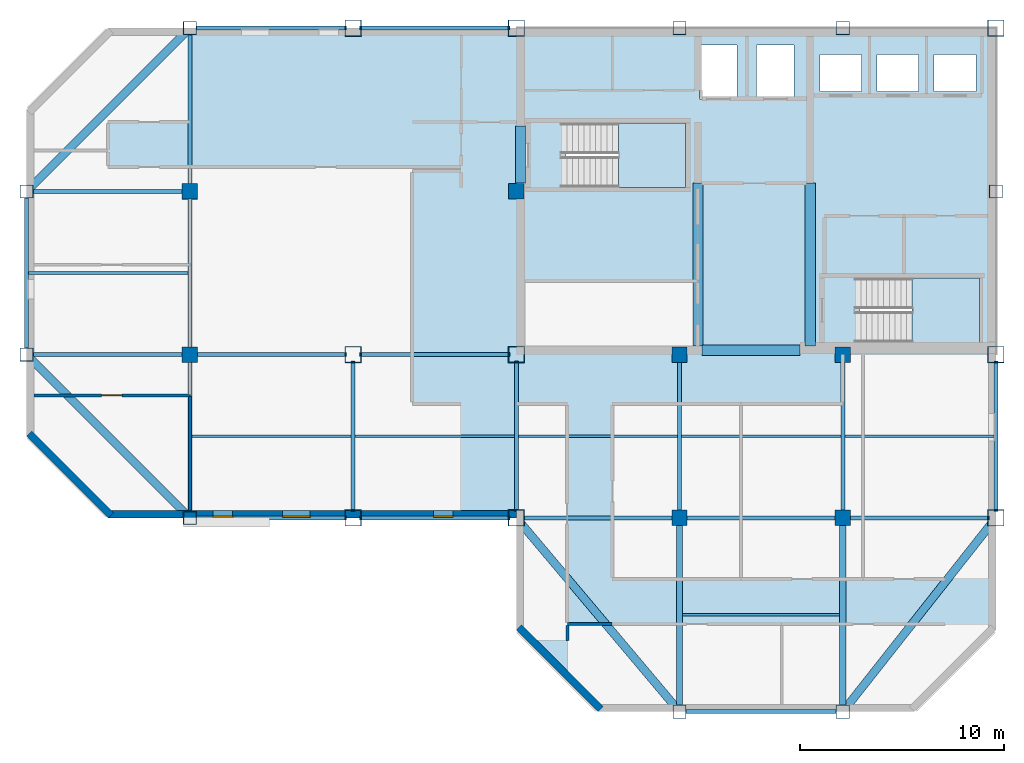
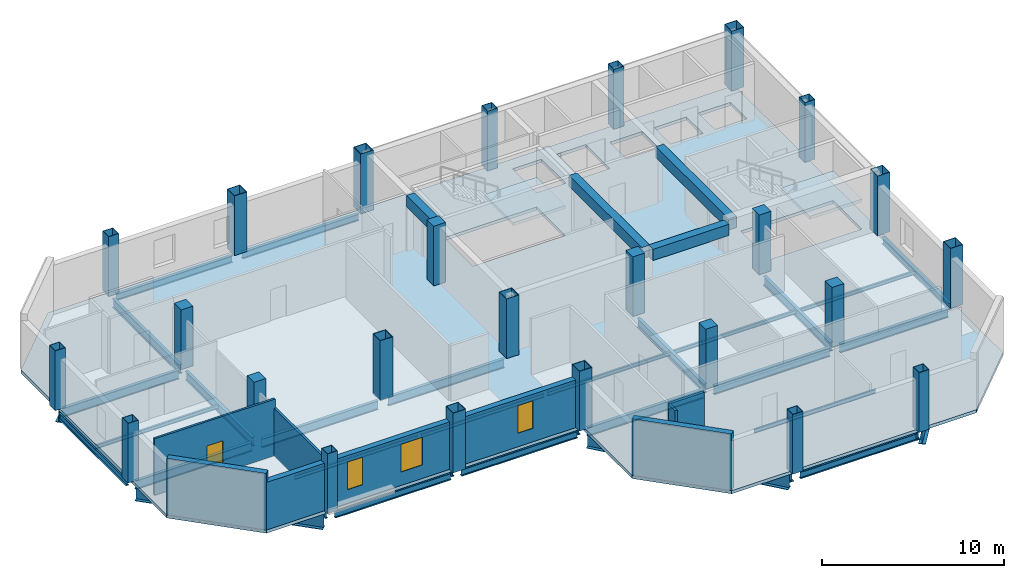
# One storey, part 1 of 7: 38 beams, 25 columns, 7 walls, 3 slabs, 3 windows, 1 door, 4 openings, 2 elements without a shape of their own.
"""IFC4 building model written with IfcOpenShell, lengths in metres."""

from ifc_helpers import new_model, si_unit, direction, frame, frame_2d, origin, origin_2d, place, context, subcontext, project, spatial, polyline, rectangle, hollow_rectangle, i_section, outline, extrude, material, layer, layer_set, material_profile, profile_set, type_object, element, fill, aggregate, save


model = new_model("IFC4")

# Units and contexts
model_context = context("Model", 3, precision=1e-05, world=origin(), true_north=direction((0.0, 1.0)))
body_context = subcontext(model_context, "Body", "Model", "MODEL_VIEW")
ifc_project = project(units=[si_unit("LENGTHUNIT", "METRE"), si_unit("AREAUNIT", "SQUARE_METRE"), si_unit("VOLUMEUNIT", "CUBIC_METRE"), si_unit("PLANEANGLEUNIT", "RADIAN"), si_unit("MASSUNIT", "GRAM", prefix="KILO")], contexts=[model_context])

# Site, building, storey
site_placement = place(None, origin())
site = spatial("IfcSite", under=ifc_project, at=site_placement, CompositionType="ELEMENT")
building_placement = place(site_placement, origin())
building = spatial("IfcBuilding", under=site, at=building_placement, Name="Qianrong Seaharbour Tower", CompositionType="ELEMENT")
storey_placement = place(building_placement, frame((0.0, 0.0, 331.199951171875)))
storey = spatial("IfcBuildingStorey", under=building, at=storey_placement, Name="L80", CompositionType="ELEMENT", Elevation=331.199951171875)

# Columns
ifc_material_1 = material(Name="Structural steel SN490B", Category="steel")
ifc_material_profile_1 = material_profile(ifc_material_1, hollow_rectangle(XDim=0.800048828125, YDim=0.800048828125, WallThickness=0.031982421875, at=origin_2d()), Name="BOX800x800x32")
ifc_profile_set_1 = profile_set([ifc_material_profile_1], Name="Structural steel SN490B")
column_type_1 = type_object("IfcColumnType", Name="COL-CFT-800", PredefinedType="COLUMN", material=ifc_profile_set_1)
for number, where, z_axis, x_axis, name in (
    (1, (32.5, 28.0, 0.0), (0.0, 0.0, 1.0), (1.0, 0.0, 0.0), "L80 Column MC-5 at G5/GE"),
    (2, (32.5, 36.0, 0.0), (0.0, 0.0, 1.0), (1.0, 0.0, 0.0), "L80 Column MC-5 at G5/GF"),
    (3, (32.5, 52.0, 0.0), (0.0, 0.0, 1.0), (1.0, 0.0, 0.0), "L80 Column MC-5 at G5/GH"),
    (4, (40.5, 28.0, 0.0), (0.0, 0.0, 1.0), (1.0, 0.0, 0.0), "L80 Column MC-5 at G6/GE"),
    (5, (40.5, 36.0, 0.0), (0.0, 0.0, 1.0), (1.0, 0.0, 0.0), "L80 Column MC-5 at G6/GF"),
    (6, (40.5, 52.0, 0.0), (0.0, 0.0, 1.0), (1.0, 0.0, 0.0), "L80 Column MC-5 at G6/GH"),
    (7, (64.0, 28.0, 0.0), (0.0, 0.0, 1.0), (1.0, 0.0, 0.0), "L80 Column MC-5 at G9/GE"),
    (8, (64.0, 36.0, 0.0), (0.0, 0.0, 1.0), (1.0, 0.0, 0.0), "L80 Column MC-5 at G9/GF"),
    (9, (64.0, 52.0, 0.0), (0.0, 0.0, 1.0), (1.0, 0.0, 0.0), "L80 Column MC-5 at G9/GH"),
):
    element("IfcColumn", number, at=place(storey_placement, frame(where, z_axis=z_axis, x_axis=x_axis)), inside=storey, type_object=column_type_1, Name=name, PredefinedType="COLUMN", context=body_context, shape_type="SweptSolid", body=[
        extrude(hollow_rectangle(XDim=0.800048828125, YDim=0.800048828125, WallThickness=0.031982421875, at=origin_2d()), origin(), (0.0, 0.0, 1.0), 4.0),
    ])
ifc_material_2 = material(Name="Concrete C50/60", Category="concrete")
ifc_material_profile_2 = material_profile(ifc_material_2, rectangle(XDim=0.75, YDim=0.75, at=origin_2d()), Name="RC750x750")
ifc_profile_set_2 = profile_set([ifc_material_profile_2], Name="Concrete C50/60")
column_type_2 = type_object("IfcColumnType", Name="COL-INT-RC750", PredefinedType="COLUMN", material=ifc_profile_set_2)
for number, where, z_axis, x_axis, name in (
    (10, (24.5, 36.0, 0.0), (0.0, 0.0, 1.0), (1.0, 0.0, 0.0), "L80 Column IC-4 at G4/GF"),
    (11, (24.5, 44.0, 0.0), (0.0, 0.0, 1.0), (1.0, 0.0, 0.0), "L80 Column IC-4 at G4/GG"),
    (12, (40.5, 44.0, 0.0), (0.0, 0.0, 1.0), (1.0, 0.0, 0.0), "L80 Column IC-4 at G6/GG"),
    (13, (48.5, 28.0, 0.0), (0.0, 0.0, 1.0), (1.0, 0.0, 0.0), "L80 Column IC-4 at G7/GE"),
    (14, (48.5, 36.0, 0.0), (0.0, 0.0, 1.0), (1.0, 0.0, 0.0), "L80 Column IC-4 at G7/GF"),
    (15, (56.5, 28.0, 0.0), (0.0, 0.0, 1.0), (1.0, 0.0, 0.0), "L80 Column IC-4 at G8/GE"),
    (16, (56.5, 36.0, 0.0), (0.0, 0.0, 1.0), (1.0, 0.0, 0.0), "L80 Column IC-4 at G8/GF"),
):
    element("IfcColumn", number, at=place(storey_placement, frame(where, z_axis=z_axis, x_axis=x_axis)), inside=storey, type_object=column_type_2, Name=name, PredefinedType="COLUMN", context=body_context, shape_type="SweptSolid", body=[
        extrude(rectangle(XDim=0.75, YDim=0.75, at=origin_2d()), origin(), (0.0, 0.0, 1.0), 4.0),
    ])
ifc_material_3 = material(Name="Structural steel SN400B", Category="steel")
ifc_material_profile_3 = material_profile(ifc_material_3, hollow_rectangle(XDim=0.64990234375, YDim=0.64990234375, WallThickness=0.028076171875, at=origin_2d()), Name="BOX650x650x28")
ifc_profile_set_3 = profile_set([ifc_material_profile_3], Name="Structural steel SN400B")
column_type_3 = type_object("IfcColumnType", Name="COL-PER-650", PredefinedType="COLUMN", material=ifc_profile_set_3)
for number, where, z_axis, x_axis, name in (
    (17, (16.5, 36.0, 0.0), (0.0, 0.0, 1.0), (1.0, 0.0, 0.0), "L80 Column PC-4 at G3/GF"),
    (18, (16.5, 44.0, 0.0), (0.0, 0.0, 1.0), (1.0, 0.0, 0.0), "L80 Column PC-4 at G3/GG"),
    (19, (24.5, 28.0, 0.0), (0.0, 0.0, 1.0), (1.0, 0.0, 0.0), "L80 Column PC-4 at G4/GE"),
    (20, (24.5, 52.0, 0.0), (0.0, 0.0, 1.0), (1.0, 0.0, 0.0), "L80 Column PC-4 at G4/GH"),
    (21, (48.5, 18.5, 0.0), (0.0, 0.0, 1.0), (1.0, 0.0, 0.0), "L80 Column PC-4 at G7/GD"),
    (22, (48.5, 52.0, 0.0), (0.0, 0.0, 1.0), (1.0, 0.0, 0.0), "L80 Column PC-4 at G7/GH"),
    (23, (56.5, 18.5, 0.0), (0.0, 0.0, 1.0), (1.0, 0.0, 0.0), "L80 Column PC-4 at G8/GD"),
    (24, (56.5, 52.0, 0.0), (0.0, 0.0, 1.0), (1.0, 0.0, 0.0), "L80 Column PC-4 at G8/GH"),
    (25, (64.0, 44.0, 0.0), (0.0, 0.0, 1.0), (1.0, 0.0, 0.0), "L80 Column PC-4 at G9/GG"),
):
    element("IfcColumn", number, at=place(storey_placement, frame(where, z_axis=z_axis, x_axis=x_axis)), inside=storey, type_object=column_type_3, Name=name, PredefinedType="COLUMN", context=body_context, shape_type="SweptSolid", body=[
        extrude(hollow_rectangle(XDim=0.64990234375, YDim=0.64990234375, WallThickness=0.028076171875, at=origin_2d()), origin(), (0.0, 0.0, 1.0), 4.0),
    ])

# Beams
ifc_material_profile_4 = material_profile(ifc_material_1, i_section(OverallWidth=0.199951171875, OverallDepth=0.60009765625, WebThickness=0.010986328125, FlangeThickness=0.01708984375, FilletRadius=0.02197265625, at=origin_2d()), Name="H600x200x11x17")
ifc_profile_set_4 = profile_set([ifc_material_profile_4], Name="Structural steel SN490B")
beam_type_1 = type_object("IfcBeamType", Name="BM-G-600", PredefinedType="BEAM", material=ifc_profile_set_4)
for number, where, z_axis, x_axis, name in (
    (26, (40.820068359375, 28.0, -0.514892578125), (1.0, 0.0, 0.0), (0.0, 1.0, 0.0), "L80 Primary Girder GE G6-G7"),
    (27, (48.820068359375, 28.0, -0.514892578125), (1.0, 0.0, 0.0), (0.0, 1.0, 0.0), "L80 Primary Girder GE G7-G8"),
):
    element("IfcBeam", number, at=place(storey_placement, frame(where, z_axis=z_axis, x_axis=x_axis)), inside=storey, type_object=beam_type_1, Name=name, PredefinedType="BEAM", context=body_context, shape_type="SweptSolid", body=[
        extrude(i_section(OverallWidth=0.199951171875, OverallDepth=0.60009765625, WebThickness=0.010986328125, FlangeThickness=0.01708984375, FilletRadius=0.02197265625, at=origin_2d()), origin(), (0.0, 0.0, 1.0), 7.35986328125),
    ])
beam_1_placement = place(storey_placement, frame((56.820068359375, 28.0, -0.514892578125), z_axis=(1.0, 0.0, 0.0), x_axis=(0.0, 1.0, 0.0)))
element("IfcBeam", 28, at=beam_1_placement, inside=storey, type_object=beam_type_1, Name="L80 Primary Girder GE G8-G9", PredefinedType="BEAM", context=body_context, shape_type="SweptSolid", body=[
    extrude(i_section(OverallWidth=0.199951171875, OverallDepth=0.60009765625, WebThickness=0.010986328125, FlangeThickness=0.01708984375, FilletRadius=0.02197265625, at=origin_2d()), origin(), (0.0, 0.0, 1.0), 6.85986328125),
])
for number, where, z_axis, x_axis, name in (
    (29, (16.820068359375, 36.0, -0.514892578125), (1.0, 0.0, 0.0), (0.0, 1.0, 0.0), "L80 Primary Girder GF G3-G4"),
    (30, (24.820068359375, 36.0, -0.514892578125), (1.0, 0.0, 0.0), (0.0, 1.0, 0.0), "L80 Primary Girder GF G4-G5"),
    (31, (32.820068359375, 36.0, -0.514892578125), (1.0, 0.0, 0.0), (0.0, 1.0, 0.0), "L80 Primary Girder GF G5-G6"),
    (32, (16.820068359375, 44.0, -0.514892578125), (1.0, 0.0, 0.0), (0.0, 1.0, 0.0), "L80 Primary Girder GG G3-G4"),
    (33, (24.5, 28.320068359375, -0.514892578125), (0.0, 1.0, 0.0), (-1.0, 0.0, 0.0), "L80 Primary Girder G4 GE-GF"),
    (34, (24.5, 36.320068359375, -0.514892578125), (0.0, 1.0, 0.0), (-1.0, 0.0, 0.0), "L80 Primary Girder G4 GF-GG"),
    (35, (24.5, 44.320068359375, -0.514892578125), (0.0, 1.0, 0.0), (-1.0, 0.0, 0.0), "L80 Primary Girder G4 GG-GH"),
    (36, (32.5, 28.320068359375, -0.514892578125), (0.0, 1.0, 0.0), (-1.0, 0.0, 0.0), "L80 Primary Girder G5 GE-GF"),
    (37, (40.5, 28.320068359375, -0.514892578125), (0.0, 1.0, 0.0), (-1.0, 0.0, 0.0), "L80 Primary Girder G6 GE-GF"),
    (38, (48.5, 28.320068359375, -0.514892578125), (0.0, 1.0, 0.0), (-1.0, 0.0, 0.0), "L80 Primary Girder G7 GE-GF"),
    (39, (56.5, 28.320068359375, -0.514892578125), (0.0, 1.0, 0.0), (-1.0, 0.0, 0.0), "L80 Primary Girder G8 GE-GF"),
):
    element("IfcBeam", number, at=place(storey_placement, frame(where, z_axis=z_axis, x_axis=x_axis)), inside=storey, type_object=beam_type_1, Name=name, PredefinedType="BEAM", context=body_context, shape_type="SweptSolid", body=[
        extrude(i_section(OverallWidth=0.199951171875, OverallDepth=0.60009765625, WebThickness=0.010986328125, FlangeThickness=0.01708984375, FilletRadius=0.02197265625, at=origin_2d()), origin(), (0.0, 0.0, 1.0), 7.35986328125),
    ])
ifc_material_profile_5 = material_profile(ifc_material_1, i_section(OverallWidth=0.300048828125, OverallDepth=0.800048828125, WebThickness=0.013916015625, FlangeThickness=0.02587890625, FilletRadius=0.028076171875, at=origin_2d()), Name="H800x300x14x26")
ifc_profile_set_5 = profile_set([ifc_material_profile_5], Name="Structural steel SN490B")
beam_type_2 = type_object("IfcBeamType", Name="BM-G-800", PredefinedType="BEAM", material=ifc_profile_set_5)
for number, where, z_axis, x_axis, name in (
    (40, (48.5, 18.820068359375, -0.614990234375), (0.0, 1.0, 0.0), (-1.0, 0.0, 0.0), "L80 Primary Girder G7 GD-GE"),
    (41, (56.5, 18.820068359375, -0.614990234375), (0.0, 1.0, 0.0), (-1.0, 0.0, 0.0), "L80 Primary Girder G8 GD-GE"),
):
    element("IfcBeam", number, at=place(storey_placement, frame(where, z_axis=z_axis, x_axis=x_axis)), inside=storey, type_object=beam_type_2, Name=name, PredefinedType="BEAM", context=body_context, shape_type="SweptSolid", body=[
        extrude(i_section(OverallWidth=0.300048828125, OverallDepth=0.800048828125, WebThickness=0.013916015625, FlangeThickness=0.02587890625, FilletRadius=0.028076171875, at=origin_2d()), origin(), (0.0, 0.0, 1.0), 8.85986328125),
    ])
ifc_material_profile_6 = material_profile(ifc_material_3, i_section(OverallWidth=0.125, OverallDepth=0.25, WebThickness=0.006103515625, FlangeThickness=0.009033203125, FilletRadius=0.011962890625, at=origin_2d()), Name="H250x125x6x9")
ifc_profile_set_6 = profile_set([ifc_material_profile_6], Name="Structural steel SN400B")
beam_type_3 = type_object("IfcBeamType", Name="BM-J-250", PredefinedType="JOIST", material=ifc_profile_set_6)
for number, where, z_axis, x_axis, name in (
    (42, (16.60009765625, 40.0, -0.33984375), (1.0, 0.0, 0.0), (0.0, 1.0, 0.0), "L80 Composite Floor Joist G3-G4/GF-GG"),
    (43, (24.60009765625, 32.0, -0.33984375), (1.0, 0.0, 0.0), (0.0, 1.0, 0.0), "L80 Composite Floor Joist G4-G5/GE-GF"),
    (44, (32.60009765625, 32.0, -0.33984375), (1.0, 0.0, 0.0), (0.0, 1.0, 0.0), "L80 Composite Floor Joist G5-G6/GE-GF"),
    (45, (40.60009765625, 32.0, -0.33984375), (1.0, 0.0, 0.0), (0.0, 1.0, 0.0), "L80 Composite Floor Joist G6-G7/GE-GF"),
):
    element("IfcBeam", number, at=place(storey_placement, frame(where, z_axis=z_axis, x_axis=x_axis)), inside=storey, type_object=beam_type_3, Name=name, PredefinedType="JOIST", context=body_context, shape_type="SweptSolid", body=[
        extrude(i_section(OverallWidth=0.125, OverallDepth=0.25, WebThickness=0.006103515625, FlangeThickness=0.009033203125, FilletRadius=0.011962890625, at=origin_2d()), origin(), (0.0, 0.0, 1.0), 7.7998046875),
    ])
beam_2_placement = place(storey_placement, frame((48.64990234375, 23.25, -0.33984375), z_axis=(1.0, 0.0, 0.0), x_axis=(0.0, 1.0, 0.0)))
element("IfcBeam", 46, at=beam_2_placement, inside=storey, type_object=beam_type_3, Name="L80 Composite Floor Joist G7-G8/GD-GE", PredefinedType="JOIST", context=body_context, shape_type="SweptSolid", body=[
    extrude(i_section(OverallWidth=0.125, OverallDepth=0.25, WebThickness=0.006103515625, FlangeThickness=0.009033203125, FilletRadius=0.011962890625, at=origin_2d()), origin(), (0.0, 0.0, 1.0), 7.7001953125),
])
beam_3_placement = place(storey_placement, frame((48.60009765625, 32.0, -0.33984375), z_axis=(1.0, 0.0, 0.0), x_axis=(0.0, 1.0, 0.0)))
element("IfcBeam", 47, at=beam_3_placement, inside=storey, type_object=beam_type_3, Name="L80 Composite Floor Joist G7-G8/GE-GF", PredefinedType="JOIST", context=body_context, shape_type="SweptSolid", body=[
    extrude(i_section(OverallWidth=0.125, OverallDepth=0.25, WebThickness=0.006103515625, FlangeThickness=0.009033203125, FilletRadius=0.011962890625, at=origin_2d()), origin(), (0.0, 0.0, 1.0), 7.7998046875),
])
beam_4_placement = place(storey_placement, frame((56.60009765625, 32.0, -0.33984375), z_axis=(1.0, 0.0, 0.0), x_axis=(0.0, 1.0, 0.0)))
element("IfcBeam", 48, at=beam_4_placement, inside=storey, type_object=beam_type_3, Name="L80 Composite Floor Joist G8-G9/GE-GF", PredefinedType="JOIST", context=body_context, shape_type="SweptSolid", body=[
    extrude(i_section(OverallWidth=0.125, OverallDepth=0.25, WebThickness=0.006103515625, FlangeThickness=0.009033203125, FilletRadius=0.011962890625, at=origin_2d()), origin(), (0.0, 0.0, 1.0), 7.2998046875),
])
ifc_material_4 = material(Name="Concrete C60/75", Category="concrete")
ifc_material_profile_7 = material_profile(ifc_material_4, rectangle(XDim=0.5, YDim=0.75, at=origin_2d()), Name="RC500x750")
ifc_profile_set_7 = profile_set([ifc_material_profile_7], Name="Concrete C60/75")
beam_type_4 = type_object("IfcBeamType", Name="BM-LINTEL-750", PredefinedType="LINTEL", material=ifc_profile_set_7)
beam_5_placement = place(storey_placement, frame((40.7099609375, 44.39990234375, 3.41015625), z_axis=(0.0, 1.0, 0.0), x_axis=(-1.0, 0.0, 0.0)))
element("IfcBeam", 49, at=beam_5_placement, inside=storey, type_object=beam_type_4, Name="L80 Core Coupling Lintel Beam West", PredefinedType="LINTEL", context=body_context, shape_type="SweptSolid", body=[
    extrude(rectangle(XDim=0.5, YDim=0.75, at=origin_2d()), origin(), (0.0, 0.0, 1.0), 2.800048828125),
])
beam_6_placement = place(storey_placement, frame((49.60009765625, 36.2099609375, 3.41015625), z_axis=(1.0, 0.0, 0.0), x_axis=(0.0, 1.0, 0.0)))
element("IfcBeam", 50, at=beam_6_placement, inside=storey, type_object=beam_type_4, Name="L80 Core Coupling Lintel Beam CBC", PredefinedType="LINTEL", context=body_context, shape_type="SweptSolid", body=[
    extrude(rectangle(XDim=0.5, YDim=0.75, at=origin_2d()), origin(), (0.0, 0.0, 1.0), 4.7998046875),
])
for number, where, z_axis, x_axis, name in (
    (51, (49.39990234375, 36.419921875, 3.41015625), (0.0, 1.0, 0.0), (-1.0, 0.0, 0.0), "L80 Internal Core Coupling Beam IW1"),
    (52, (54.89990234375, 36.419921875, 3.41015625), (0.0, 1.0, 0.0), (-1.0, 0.0, 0.0), "L80 Internal Core Coupling Beam IW2"),
):
    element("IfcBeam", number, at=place(storey_placement, frame(where, z_axis=z_axis, x_axis=x_axis)), inside=storey, type_object=beam_type_4, Name=name, PredefinedType="LINTEL", context=body_context, shape_type="SweptSolid", body=[
        extrude(rectangle(XDim=0.5, YDim=0.75, at=origin_2d()), origin(), (0.0, 0.0, 1.0), 7.97998046875),
    ])
ifc_material_profile_8 = material_profile(ifc_material_3, i_section(OverallWidth=0.199951171875, OverallDepth=0.449951171875, WebThickness=0.009033203125, FlangeThickness=0.013916015625, FilletRadius=0.01806640625, at=origin_2d()), Name="H450x200x9x14")
ifc_profile_set_8 = profile_set([ifc_material_profile_8], Name="Structural steel SN400B")
beam_type_5 = type_object("IfcBeamType", Name="BM-SP-450", PredefinedType="SPANDREL", material=ifc_profile_set_8)
for number, where, z_axis, x_axis, name in (
    (53, (48.820068359375, 18.5, -0.43994140625), (1.0, 0.0, 0.0), (0.0, 1.0, 0.0), "L80 Spandrel Girder GD G7-G8"),
    (54, (24.820068359375, 28.0, -0.43994140625), (1.0, 0.0, 0.0), (0.0, 1.0, 0.0), "L80 Spandrel Girder GE G4-G5"),
    (55, (32.820068359375, 28.0, -0.43994140625), (1.0, 0.0, 0.0), (0.0, 1.0, 0.0), "L80 Spandrel Girder GE G5-G6"),
    (56, (24.820068359375, 52.0, -0.43994140625), (1.0, 0.0, 0.0), (0.0, 1.0, 0.0), "L80 Spandrel Girder GH G4-G5"),
    (57, (32.820068359375, 52.0, -0.43994140625), (1.0, 0.0, 0.0), (0.0, 1.0, 0.0), "L80 Spandrel Girder GH G5-G6"),
    (58, (16.5, 36.320068359375, -0.43994140625), (0.0, 1.0, 0.0), (-1.0, 0.0, 0.0), "L80 Spandrel Girder G3 GF-GG"),
    (59, (64.0, 28.320068359375, -0.43994140625), (0.0, 1.0, 0.0), (-1.0, 0.0, 0.0), "L80 Spandrel Girder G9 GE-GF"),
):
    element("IfcBeam", number, at=place(storey_placement, frame(where, z_axis=z_axis, x_axis=x_axis)), inside=storey, type_object=beam_type_5, Name=name, PredefinedType="SPANDREL", context=body_context, shape_type="SweptSolid", body=[
        extrude(i_section(OverallWidth=0.199951171875, OverallDepth=0.449951171875, WebThickness=0.009033203125, FlangeThickness=0.013916015625, FilletRadius=0.01806640625, at=origin_2d()), origin(), (0.0, 0.0, 1.0), 7.35986328125),
    ])
ifc_material_profile_9 = material_profile(ifc_material_1, i_section(OverallWidth=0.39990234375, OverallDepth=1.10009765625, WebThickness=0.02001953125, FlangeThickness=0.035888671875, at=origin_2d()), Name="BH1100x400x20x36")
ifc_profile_set_9 = profile_set([ifc_material_profile_9], Name="Structural steel SN490B")
beam_type_6 = type_object("IfcBeamType", Name="BM-TG-1100", PredefinedType="BEAM", material=ifc_profile_set_9)
for number, where, z_axis, x_axis, name in (
    (60, (24.273681640625, 28.226318359375, -0.764892578125), (-0.707106781187, 0.707106781187, 0.0), (-0.707106781187, -0.707106781187, 0.0), "L80 Chamfer Corner Spandrel Girder G3/GE"),
    (61, (24.273681640625, 51.773681640625, -0.764892578125), (-0.707106781187, -0.707106781187, 0.0), (0.707106781187, -0.707106781187, 0.0), "L80 Chamfer Corner Spandrel Girder G3/GH"),
):
    element("IfcBeam", number, at=place(storey_placement, frame(where, z_axis=z_axis, x_axis=x_axis)), inside=storey, type_object=beam_type_6, Name=name, PredefinedType="BEAM", context=body_context, shape_type="SweptSolid", body=[
        extrude(i_section(OverallWidth=0.39990234375, OverallDepth=1.10009765625, WebThickness=0.02001953125, FlangeThickness=0.035888671875, at=origin_2d()), origin(), (0.0, 0.0, 1.0), 10.673583984375),
    ])
beam_7_placement = place(storey_placement, frame((48.2939453125, 18.744873046875, -0.764892578125), z_axis=(-0.644151063101, 0.764898299061, 0.0), x_axis=(-0.764898299061, -0.644151063101, 0.0)))
element("IfcBeam", 62, at=beam_7_placement, inside=storey, type_object=beam_type_6, Name="L80 Chamfer Corner Spandrel Girder G6/GD", PredefinedType="BEAM", context=body_context, shape_type="SweptSolid", body=[
    extrude(i_section(OverallWidth=0.39990234375, OverallDepth=1.10009765625, WebThickness=0.02001953125, FlangeThickness=0.035888671875, at=origin_2d()), origin(), (0.0, 0.0, 1.0), 11.77978515625),
])
beam_8_placement = place(storey_placement, frame((56.6982421875, 18.751220703125, -0.764892578125), z_axis=(0.619653955715, 0.784875133487, 0.0), x_axis=(-0.784875133487, 0.619653955715, 0.0)))
element("IfcBeam", 63, at=beam_8_placement, inside=storey, type_object=beam_type_6, Name="L80 Chamfer Corner Spandrel Girder G9/GD", PredefinedType="BEAM", context=body_context, shape_type="SweptSolid", body=[
    extrude(i_section(OverallWidth=0.39990234375, OverallDepth=1.10009765625, WebThickness=0.02001953125, FlangeThickness=0.035888671875, at=origin_2d()), origin(), (0.0, 0.0, 1.0), 11.463623046875),
])

# Stair, slab
stair_type = type_object("IfcStairType", Name="STAIR-DOGLEG-1500-R22", PredefinedType="HALF_TURN_STAIR", material=ifc_material_2)
stair_1_placement = place(storey_placement, origin())
stair_1 = element("IfcStair", 64, at=stair_1_placement, inside=storey, type_object=stair_type, Name="L80 Protected Escape Stair ST-1", PredefinedType="HALF_TURN_STAIR")
ifc_layer_1 = layer(ifc_material_2, 0.199951171875)
ifc_layer_set_1 = layer_set([ifc_layer_1], Name="Concrete C50/60")
slab_type_1 = type_object("IfcSlabType", Name="SLAB-STAIR-LANDING-200", PredefinedType="LANDING", material=ifc_layer_set_1)
slab_1_placement = place(storey_placement, frame((0.0, 0.0, 1.800048828125)))
slab_1 = element("IfcSlab", 65, at=slab_1_placement, type_object=slab_type_1, Name="ST-1 landing 1", PredefinedType="LANDING", context=body_context, shape_type="SweptSolid", body=[
    extrude(outline(polyline([(45.5, 44.199951171875), (48.800048828125, 44.199951171875), (48.800048828125, 47.35009765625), (45.5, 47.35009765625), (45.5, 44.199951171875)])), origin(), (0.0, 0.0, 1.0), 0.199951171875),
])
aggregate(stair_1, [slab_1])

stair_2_placement = place(storey_placement, origin())
stair_2 = element("IfcStair", 66, at=stair_2_placement, inside=storey, type_object=stair_type, Name="L80 Protected Escape Stair ST-2", PredefinedType="HALF_TURN_STAIR")
slab_2_placement = place(storey_placement, frame((0.0, 0.0, 1.800048828125)))
slab_2 = element("IfcSlab", 67, at=slab_2_placement, type_object=slab_type_1, Name="ST-2 landing 1", PredefinedType="LANDING", context=body_context, shape_type="SweptSolid", body=[
    extrude(outline(polyline([(59.89990234375, 36.60009765625), (63.199951171875, 36.60009765625), (63.199951171875, 39.75), (59.89990234375, 39.75), (59.89990234375, 36.60009765625)])), origin(), (0.0, 0.0, 1.0), 0.199951171875),
])
aggregate(stair_2, [slab_2])

# Slab
ifc_layer_2 = layer(ifc_material_2, 0.215087890625)
ifc_layer_set_2 = layer_set([ifc_layer_2], Name="Concrete C50/60")
slab_type_2 = type_object("IfcSlabType", Name="SLAB-Z4-215", PredefinedType="FLOOR", material=ifc_layer_set_2)
slab_3_placement = place(storey_placement, frame((0.0, 0.0, -0.21484375)))
element("IfcSlab", 68, at=slab_3_placement, inside=storey, type_object=slab_type_2, Name="L80 Structural Floor Slab", PredefinedType="FLOOR", context=body_context, shape_type="SweptSolid", body=[
    extrude(outline(polyline([(44.5, 18.5), (60.0, 18.5), (64.0, 22.5), (64.0, 52.0), (20.5, 52.0), (16.5, 48.0), (16.5, 32.0), (20.5, 28.0), (40.5, 28.0), (40.5, 22.5), (44.5, 18.5)]), holes=[polyline([(42.93994140625, 44.199951171875), (42.93994140625, 47.35009765625), (48.800048828125, 47.35009765625), (48.800048828125, 44.199951171875), (42.93994140625, 44.199951171875)]), polyline([(57.340087890625, 36.60009765625), (57.340087890625, 39.75), (63.199951171875, 39.75), (63.199951171875, 36.60009765625), (57.340087890625, 36.60009765625)]), polyline([(49.47998046875, 48.530029296875), (49.47998046875, 51.169921875), (51.320068359375, 51.169921875), (51.320068359375, 48.530029296875), (49.47998046875, 48.530029296875)]), polyline([(52.280029296875, 48.530029296875), (52.280029296875, 51.169921875), (54.1201171875, 51.169921875), (54.1201171875, 48.530029296875), (52.280029296875, 48.530029296875)]), polyline([(55.3798828125, 48.89990234375), (55.3798828125, 50.699951171875), (57.419921875, 50.699951171875), (57.419921875, 48.89990234375), (55.3798828125, 48.89990234375)]), polyline([(58.179931640625, 48.89990234375), (58.179931640625, 50.699951171875), (60.219970703125, 50.699951171875), (60.219970703125, 48.89990234375), (58.179931640625, 48.89990234375)]), polyline([(60.97998046875, 48.89990234375), (60.97998046875, 50.699951171875), (63.02001953125, 50.699951171875), (63.02001953125, 48.89990234375), (60.97998046875, 48.89990234375)])]), origin(), (0.0, 0.0, 1.0), 0.21484375),
])

# Wall
ifc_material_5 = material(Name="Fire-rated acoustic gypsum board partition")
ifc_layer_3 = layer(ifc_material_5, 0.1650390625)
ifc_layer_set_3 = layer_set([ifc_layer_3], Name="Fire-rated acoustic gypsum board partition")
wall_type_1 = type_object("IfcWallType", Name="WALL-CORR-PART-165", PredefinedType="PARTITIONING", material=ifc_layer_set_3)
wall_1_placement = place(storey_placement, frame((45.199951171875, 22.800048828125, 0.0), z_axis=(0.0, 0.0, 1.0), x_axis=(-1.0, 0.0, 0.0)))
element("IfcWall", 69, at=wall_1_placement, inside=storey, type_object=wall_type_1, Name="L80 Interior Partition Wall 031", PredefinedType="PARTITIONING", context=body_context, shape_type="SweptSolid", body=[
    extrude(rectangle(XDim=2.199951171875, YDim=0.1650390625, at=frame_2d((1.10009765625, 0.0))), origin(), (0.0, 0.0, 1.0), 3.78515625),
])

# Wall, openings, windows
ifc_material_6 = material(Name="Unitised red brick on Precast concrete C45/55", Category="masonry")
ifc_layer_4 = layer(ifc_material_6, 0.360107421875)
ifc_layer_set_4 = layer_set([ifc_layer_4], Name="Unitised red brick on Precast concrete C45/55")
wall_type_2 = type_object("IfcWallType", Name="WALL-EXT-BRICK-RED-360", PredefinedType="SOLIDWALL", material=ifc_layer_set_4)
wall_2_placement = place(storey_placement, frame((40.52001953125, 28.179931640625, 0.0), z_axis=(0.0, 0.0, 1.0), x_axis=(-1.0, 0.0, 0.0)))
wall_2 = element("IfcWall", 70, at=wall_2_placement, inside=storey, type_object=wall_type_2, Name="L80 Exterior Masonry Facade Wall HARBOUR_RIBBON", PredefinedType="SOLIDWALL", context=body_context, shape_type="SweptSolid", body=[
    extrude(rectangle(XDim=20.02001953125, YDim=0.360107421875, at=frame_2d((10.010009765625, 0.0))), origin(), (0.0, 0.0, 1.0), 3.18505859375),
])
opening_1_placement = place(wall_2_placement, frame((3.125, 0.0, 0.89990234375)))
opening_1 = element("IfcOpeningElement", 71, at=opening_1_placement, cuts=wall_2, Name="Opening WN-13", PredefinedType="OPENING", context=body_context, shape_type="SweptSolid", body=[
    extrude(rectangle(XDim=0.949951171875, YDim=1.85009765625, at=frame_2d((0.47509765625, 0.925048828125))), frame((0.0, 0.18994140625, 0.0), z_axis=(0.0, -1.0, 0.0), x_axis=(1.0, 0.0, 0.0)), (0.0, 0.0, 1.0), 0.380126953125),
])
opening_2_placement = place(wall_2_placement, frame((10.125, 0.0, 0.89990234375)))
opening_2 = element("IfcOpeningElement", 72, at=opening_2_placement, cuts=wall_2, Name="Opening WN-02", PredefinedType="OPENING", context=body_context, shape_type="SweptSolid", body=[
    extrude(rectangle(XDim=1.35009765625, YDim=1.85009765625, at=frame_2d((0.675048828125, 0.925048828125))), frame((0.0, 0.18994140625, 0.0), z_axis=(0.0, -1.0, 0.0), x_axis=(1.0, 0.0, 0.0)), (0.0, 0.0, 1.0), 0.380126953125),
])
opening_3_placement = place(wall_2_placement, frame((13.925048828125, 0.0, 0.89990234375)))
opening_3 = element("IfcOpeningElement", 73, at=opening_3_placement, cuts=wall_2, Name="Opening WN-13", PredefinedType="OPENING", context=body_context, shape_type="SweptSolid", body=[
    extrude(rectangle(XDim=0.949951171875, YDim=1.85009765625, at=frame_2d((0.47509765625, 0.925048828125))), frame((0.0, 0.18994140625, 0.0), z_axis=(0.0, -1.0, 0.0), x_axis=(1.0, 0.0, 0.0)), (0.0, 0.0, 1.0), 0.380126953125),
])
ifc_material_7 = material(Name="Insulated low-e double glazing in thermally broken aluminium 6063-T6 frame", Category="aluminium")
window_type_1 = type_object("IfcWindowType", Name="WIN-NARROW-950x1850", PartitioningType="SINGLE_PANEL", PredefinedType="WINDOW", material=ifc_material_7)
window_1_placement = place(opening_1_placement, origin())
window_1 = element("IfcWindow", 74, at=window_1_placement, inside=storey, type_object=window_type_1, Name="L80 Deep-Set Punched Window 01.01", OverallHeight=1.85009765625, OverallWidth=0.949951171875, PartitioningType="SINGLE_PANEL", PredefinedType="WINDOW", context=body_context, shape_type="SweptSolid", body=[
    extrude(rectangle(XDim=0.949951171875, YDim=1.85009765625, at=frame_2d((0.47509765625, 0.925048828125))), frame((0.0, 0.150146484375, 0.0), z_axis=(0.0, -1.0, 0.0), x_axis=(1.0, 0.0, 0.0)), (0.0, 0.0, 1.0), 0.06005859375),
])
fill(opening_1, window_1)
window_2_placement = place(opening_3_placement, origin())
window_2 = element("IfcWindow", 75, at=window_2_placement, inside=storey, type_object=window_type_1, Name="L80 Deep-Set Punched Window 01.04", OverallHeight=1.85009765625, OverallWidth=0.949951171875, PartitioningType="SINGLE_PANEL", PredefinedType="WINDOW", context=body_context, shape_type="SweptSolid", body=[
    extrude(rectangle(XDim=0.949951171875, YDim=1.85009765625, at=frame_2d((0.47509765625, 0.925048828125))), frame((0.0, 0.150146484375, 0.0), z_axis=(0.0, -1.0, 0.0), x_axis=(1.0, 0.0, 0.0)), (0.0, 0.0, 1.0), 0.06005859375),
])
fill(opening_3, window_2)
window_type_2 = type_object("IfcWindowType", Name="WIN-PUNCH-1350x1850", PartitioningType="DOUBLE_PANEL_VERTICAL", PredefinedType="WINDOW", material=ifc_material_7)
window_3_placement = place(opening_2_placement, origin())
window_3 = element("IfcWindow", 76, at=window_3_placement, inside=storey, type_object=window_type_2, Name="L80 Deep-Set Punched Window 01.03", OverallHeight=1.85009765625, OverallWidth=1.35009765625, PartitioningType="DOUBLE_PANEL_VERTICAL", PredefinedType="WINDOW", context=body_context, shape_type="SweptSolid", body=[
    extrude(rectangle(XDim=1.35009765625, YDim=1.85009765625, at=frame_2d((0.675048828125, 0.925048828125))), frame((0.0, 0.150146484375, 0.0), z_axis=(0.0, -1.0, 0.0), x_axis=(1.0, 0.0, 0.0)), (0.0, 0.0, 1.0), 0.06005859375),
])
fill(opening_2, window_3)

# Walls
for number, where, z_axis, x_axis, name in (
    (77, (20.627197265625, 28.127197265625, 0.0), (0.0, 0.0, 1.0), (-0.707106781187, 0.707106781187, 0.0), "L80 Exterior Masonry Facade Wall E02"),
    (78, (44.627197265625, 18.627197265625, 0.0), (0.0, 0.0, 1.0), (-0.707106781187, 0.707106781187, 0.0), "L80 Exterior Masonry Facade Wall E09"),
):
    element("IfcWall", number, at=place(storey_placement, frame(where, z_axis=z_axis, x_axis=x_axis)), inside=storey, type_object=wall_type_2, Name=name, PredefinedType="SOLIDWALL", context=body_context, shape_type="SweptSolid", body=[
        extrude(rectangle(XDim=5.65673828125, YDim=0.360107421875, at=frame_2d((2.828369140625, 0.0))), origin(), (0.0, 0.0, 1.0), 3.78515625),
    ])
ifc_material_8 = material(Name="Acoustic gypsum board stud partition")
ifc_layer_5 = layer(ifc_material_8, 0.14501953125)
ifc_layer_set_5 = layer_set([ifc_layer_5], Name="Acoustic gypsum board stud partition")
wall_type_3 = type_object("IfcWallType", Name="WALL-OFFICE-PART-145", PredefinedType="PARTITIONING", material=ifc_layer_set_5)
wall_3_placement = place(storey_placement, frame((24.5, 28.35205078125, 0.0), z_axis=(0.0, 0.0, 1.0), x_axis=(0.0, 1.0, 0.0)))
element("IfcWall", 79, at=wall_3_placement, inside=storey, type_object=wall_type_3, Name="L80 Interior Partition Wall 037", PredefinedType="PARTITIONING", context=body_context, shape_type="SweptSolid", body=[
    extrude(rectangle(XDim=5.591064453125, YDim=0.14501953125, at=frame_2d((2.79541015625, 0.0))), origin(), (0.0, 0.0, 1.0), 3.177001953125),
])
wall_4_placement = place(storey_placement, frame((43.0, 22.7255859375, 0.0), z_axis=(0.0, 0.0, 1.0), x_axis=(0.0, -1.0, 0.0)))
element("IfcWall", 80, at=wall_4_placement, inside=storey, type_object=wall_type_3, Name="L80 Interior Partition Wall 045", PredefinedType="PARTITIONING", context=body_context, shape_type="SweptSolid", body=[
    extrude(rectangle(XDim=0.7255859375, YDim=0.14501953125, at=frame_2d((0.36279296875, 0.0))), origin(), (0.0, 0.0, 1.0), 3.78515625),
])

# Wall, opening, door
ifc_material_9 = material(Name="Water-resistant cement board sanitary partition")
ifc_layer_6 = layer(ifc_material_9, 0.1298828125)
ifc_layer_set_6 = layer_set([ifc_layer_6], Name="Water-resistant cement board sanitary partition")
wall_type_4 = type_object("IfcWallType", Name="WALL-WET-PART-130", PredefinedType="PARTITIONING", material=ifc_layer_set_6)
wall_5_placement = place(storey_placement, frame((16.85205078125, 34.0, 0.0), z_axis=(0.0, 0.0, 1.0), x_axis=(1.0, 0.0, 0.0)))
wall_5 = element("IfcWall", 81, at=wall_5_placement, inside=storey, type_object=wall_type_4, Name="L80 Interior Partition Wall 040", PredefinedType="PARTITIONING", context=body_context, shape_type="SweptSolid", body=[
    extrude(rectangle(XDim=7.64794921875, YDim=0.1298828125, at=frame_2d((3.823974609375, 0.0))), origin(), (0.0, 0.0, 1.0), 3.78515625),
])
opening_4_placement = place(wall_5_placement, frame((3.323974609375, 0.0, 0.0)))
opening_4 = element("IfcOpeningElement", 82, at=opening_4_placement, cuts=wall_5, Name="Opening DO-01", PredefinedType="OPENING", context=body_context, shape_type="SweptSolid", body=[
    extrude(rectangle(XDim=1.0, YDim=2.14990234375, at=frame_2d((0.5, 1.074951171875))), frame((0.0, 0.074951171875, 0.0), z_axis=(0.0, -1.0, 0.0), x_axis=(1.0, 0.0, 0.0)), (0.0, 0.0, 1.0), 0.14990234375),
])
ifc_material_10 = material(Name="Acoustic timber and galvanized steel fire door assembly", Category="steel")
door_type = type_object("IfcDoorType", Name="DOOR-OFFICE-1000x2150", OperationType="NOTDEFINED", PredefinedType="DOOR", material=ifc_material_10)
door_placement = place(opening_4_placement, origin())
door = element("IfcDoor", 83, at=door_placement, inside=storey, type_object=door_type, Name="L80 Harbour Sunset Lounge 1 Door", OperationType="SINGLE_SWING_LEFT", OverallHeight=2.14990234375, OverallWidth=1.0, PredefinedType="DOOR", context=body_context, shape_type="SweptSolid", body=[
    extrude(rectangle(XDim=1.0, YDim=2.14990234375, at=frame_2d((0.5, 1.074951171875))), frame((0.0, 0.02490234375, 0.0), z_axis=(0.0, -1.0, 0.0), x_axis=(1.0, 0.0, 0.0)), (0.0, 0.0, 1.0), 0.050048828125),
])
fill(opening_4, door)

save(model, "model.ifc")
